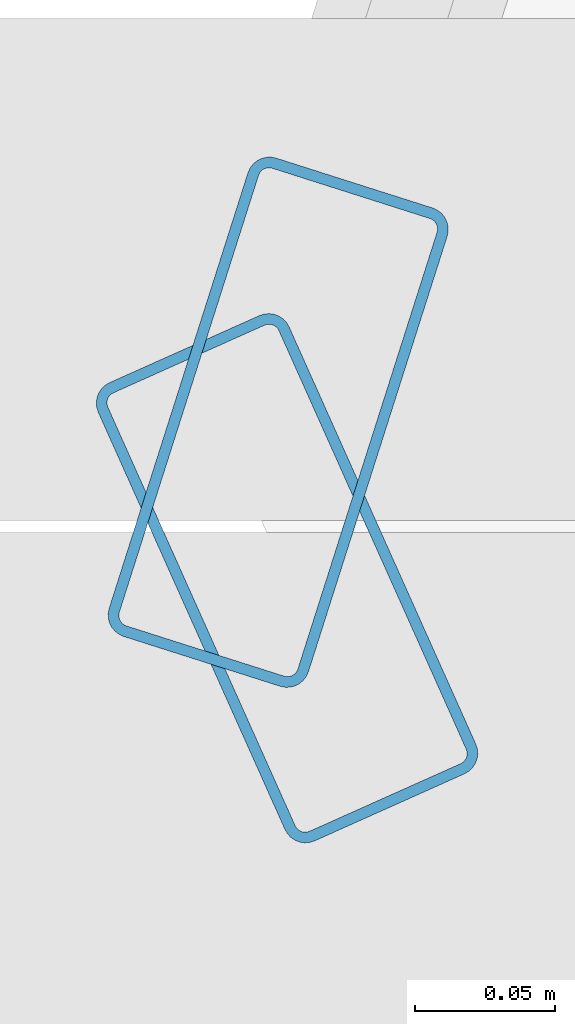
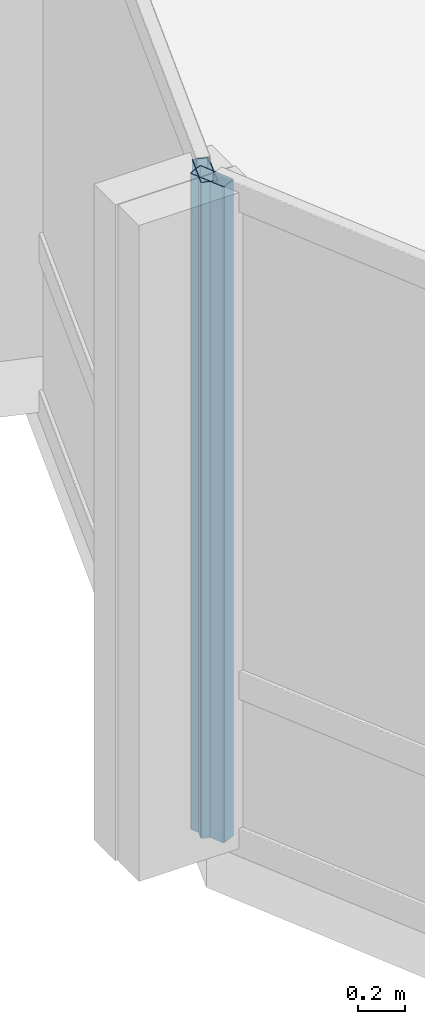
# One storey, part 6 of 19: 2 members, 2 elements without a shape of their own.
"""IFC4 building model written with IfcOpenShell, lengths in metres."""

from ifc_helpers import new_model, si_unit, direction, frame, origin, origin_2d, place, context, subcontext, project, spatial, hollow_rectangle, extrude, material, layer, layer_set, material_profile, profile_set, type_object, element, aggregate, save


model = new_model("IFC4")

# Units and contexts
model_context = context("Model", 3, precision=1e-05, world=origin(), true_north=direction((0.0, 1.0)))
body_context = subcontext(model_context, "Body", "Model", "MODEL_VIEW")
ifc_project = project(units=[si_unit("LENGTHUNIT", "METRE"), si_unit("AREAUNIT", "SQUARE_METRE"), si_unit("VOLUMEUNIT", "CUBIC_METRE"), si_unit("PLANEANGLEUNIT", "RADIAN"), si_unit("MASSUNIT", "GRAM", prefix="KILO")], contexts=[model_context])

# Site, building, storey
site_placement = place(None, origin())
site = spatial("IfcSite", under=ifc_project, at=site_placement, CompositionType="ELEMENT")
building_placement = place(site_placement, origin())
building = spatial("IfcBuilding", under=site, at=building_placement, Name="Solvaryn Broadcast Tower", CompositionType="ELEMENT")
storey_placement = place(building_placement, frame((0.0, 0.0, 277.800048828125)))
storey = spatial("IfcBuildingStorey", under=building, at=storey_placement, Name="L70", CompositionType="ELEMENT", Elevation=277.800048828125)

# Curtain wall, member
ifc_material_1 = material(Name="Aluminium and Terracotta Unitised Curtain Wall", Category="masonry")
ifc_layer_1 = layer(ifc_material_1, 0.199951171875)
ifc_layer_set_1 = layer_set([ifc_layer_1], Name="CW-SYS2-LOWMID")
curtain_wall_type_1 = type_object("IfcCurtainWallType", Name="CW-SYS2-LOWMID", PredefinedType="NOTDEFINED", material=ifc_layer_set_1)
curtain_wall_1_placement = place(storey_placement, origin())
curtain_wall_1 = element("IfcCurtainWall", 1, at=curtain_wall_1_placement, inside=storey, type_object=curtain_wall_type_1, Name="L70 Curtain Wall DR1", PredefinedType="NOTDEFINED")
ifc_material_2 = material(Name="Anodised Aluminium 6063-T6", Category="aluminium")
ifc_material_profile = material_profile(ifc_material_2, hollow_rectangle(XDim=0.074951171875, YDim=0.179931640625, WallThickness=0.00390625, InnerFilletRadius=0.00390625, OuterFilletRadius=0.008056640625, at=origin_2d()))
ifc_profile_set = profile_set([ifc_material_profile], Name="Anodised Aluminium 6063-T6")
member_type = type_object("IfcMemberType", Name="CW-MUL-180", PredefinedType="MULLION", material=ifc_profile_set)
member_1_placement = place(storey_placement, frame((3.7470703125, 26.66455078125, 0.0), z_axis=(0.0, 0.0, 1.0), x_axis=(0.952794594701, -0.30361564569, 0.0)))
member_1 = element("IfcMember", 2, at=member_1_placement, type_object=member_type, Name="CWS2 mullion 2", PredefinedType="MULLION", context=body_context, shape_type="SweptSolid", body=[
    extrude(hollow_rectangle(XDim=0.074951171875, YDim=0.179931640625, WallThickness=0.00390625, InnerFilletRadius=0.00390625, OuterFilletRadius=0.008056640625, at=origin_2d()), origin(), (0.0, 0.0, 1.0), 3.419921875),
])
aggregate(curtain_wall_1, [member_1])

ifc_material_3 = material(Name="Aluminium and Terracotta Unitised Curtain Wall", Category="masonry")
ifc_layer_2 = layer(ifc_material_3, 0.239990234375)
ifc_layer_set_2 = layer_set([ifc_layer_2], Name="CW-SYS3-BAYBOX")
curtain_wall_type_2 = type_object("IfcCurtainWallType", Name="CW-SYS3-BAYBOX", PredefinedType="NOTDEFINED", material=ifc_layer_set_2)
curtain_wall_2_placement = place(storey_placement, origin())
curtain_wall_2 = element("IfcCurtainWall", 3, at=curtain_wall_2_placement, inside=storey, type_object=curtain_wall_type_2, Name="L70 Curtain Wall DR2", PredefinedType="NOTDEFINED")
member_2_placement = place(storey_placement, frame((3.750244140625, 26.608642578125, 0.0), z_axis=(0.0, 0.0, 1.0), x_axis=(0.912773530574, 0.408466010682, 0.0)))
member_2 = element("IfcMember", 4, at=member_2_placement, type_object=member_type, Name="CWS3 mullion 1", PredefinedType="MULLION", context=body_context, shape_type="SweptSolid", body=[
    extrude(hollow_rectangle(XDim=0.074951171875, YDim=0.179931640625, WallThickness=0.00390625, InnerFilletRadius=0.00390625, OuterFilletRadius=0.008056640625, at=origin_2d()), origin(), (0.0, 0.0, 1.0), 3.419921875),
])
aggregate(curtain_wall_2, [member_2])

save(model, "model.ifc")
